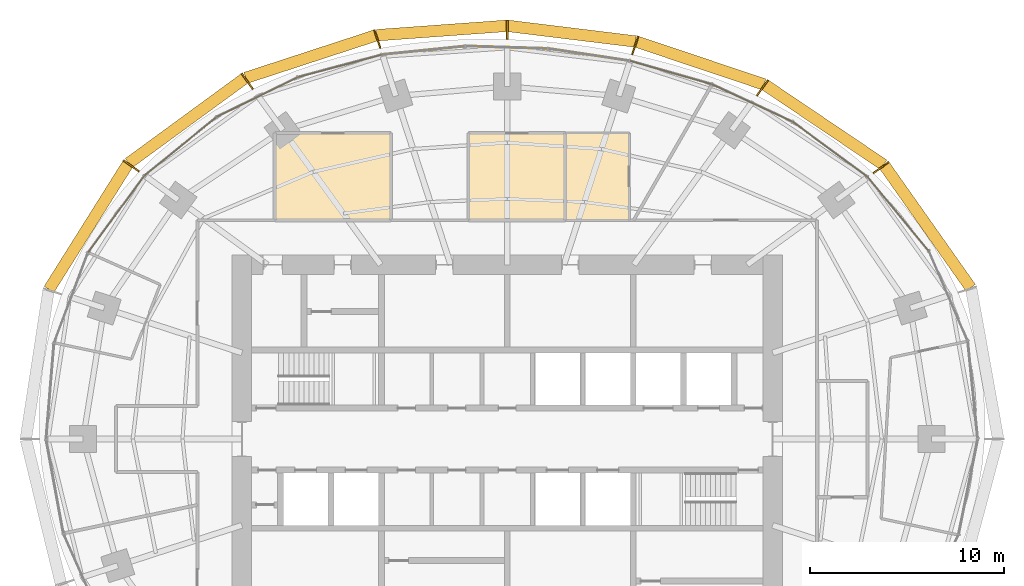
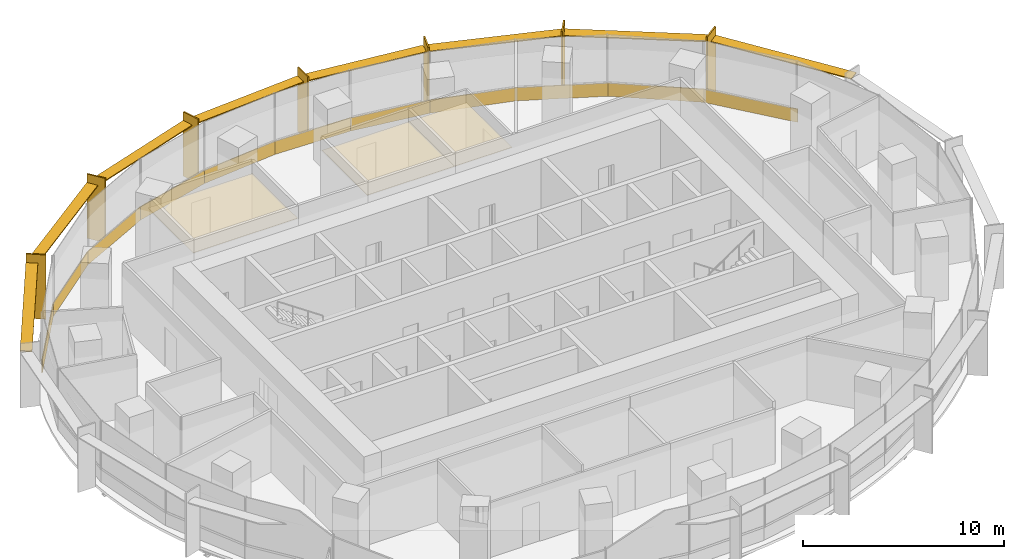
# One storey, part 14 of 14: 15 shading devices, 14 coverings.
"""IFC4 building model written with IfcOpenShell, lengths in metres."""

from ifc_helpers import new_model, si_unit, direction, frame, origin, origin_2d, place, context, subcontext, project, spatial, polyline, rectangle, outline, extrude, material, layer, layer_set, type_object, element, save


model = new_model("IFC4")

# Units and contexts
model_context = context("Model", 3, precision=1e-05, world=origin(), true_north=direction((0.0, 1.0)))
body_context = subcontext(model_context, "Body", "Model", "MODEL_VIEW")
ifc_project = project(units=[si_unit("LENGTHUNIT", "METRE"), si_unit("AREAUNIT", "SQUARE_METRE"), si_unit("VOLUMEUNIT", "CUBIC_METRE"), si_unit("PLANEANGLEUNIT", "RADIAN"), si_unit("MASSUNIT", "GRAM", prefix="KILO")], contexts=[model_context])

# Site, building, storey
site_placement = place(None, origin())
site = spatial("IfcSite", under=ifc_project, at=site_placement, CompositionType="ELEMENT")
building_placement = place(site_placement, origin())
building = spatial("IfcBuilding", under=site, at=building_placement, Name="Marramba Exchange Tower", CompositionType="ELEMENT")
storey_placement = place(building_placement, frame((0.0, 0.0, 199.39990234375)))
storey = spatial("IfcBuildingStorey", under=building, at=storey_placement, Name="L48", CompositionType="ELEMENT", Elevation=199.39990234375)

# Shading devices
ifc_material_1 = material(Name="Aluminium blade, timber-look bronze finish", Category="wood")
ifc_layer_1 = layer(ifc_material_1, 0.080078125)
ifc_layer_set_1 = layer_set([ifc_layer_1], Name="Floor-edge blade 1000x80")
shading_device_type_1 = type_object("IfcShadingDeviceType", Name="Floor-edge blade 1000x80", PredefinedType="USERDEFINED", material=ifc_layer_set_1)
for number, where, z_axis, x_axis, name in (
    (1, (19.298828125, 14.021484375, -0.159912109375), (0.0, 0.0, 1.0), (0.809016994375, 0.587785252292, 0.0), "Floor-edge blade FB1 L48 TC03"),
    (2, (13.176513671875, 18.135986328125, -0.159912109375), (0.0, 0.0, 1.0), (0.587785252292, 0.809016994375, 0.0), "Floor-edge blade FB1 L48 TC04"),
    (3, (6.605712890625, 20.330078125, -0.159912109375), (0.0, 0.0, 1.0), (0.309016994375, 0.951056516295, 0.0), "Floor-edge blade FB1 L48 TC05"),
    (4, (0.0, 21.13623046875, -0.159912109375), (0.0, 0.0, 1.0), (0.0, 1.0, 0.0), "Floor-edge blade FB1 L48 TC06"),
    (5, (-6.7119140625, 20.657470703125, -0.159912109375), (0.0, 0.0, 1.0), (-0.309016994375, 0.951056516295, 0.0), "Floor-edge blade FB1 L48 TC07"),
    (6, (-13.422607421875, 18.474609375, -0.159912109375), (0.0, 0.0, 1.0), (-0.587785252292, 0.809016994375, 0.0), "Floor-edge blade FB1 L48 TC08"),
    (7, (-19.4140625, 14.105224609375, -0.159912109375), (0.0, 0.0, 1.0), (-0.809016994375, 0.587785252292, 0.0), "Floor-edge blade FB1 L48 TC09"),
):
    element("IfcShadingDevice", number, at=place(storey_placement, frame(where, z_axis=z_axis, x_axis=x_axis)), inside=storey, type_object=shading_device_type_1, Name=name, ObjectType="FIN", PredefinedType="USERDEFINED", context=body_context, shape_type="SweptSolid", body=[
        extrude(rectangle(XDim=1.0, YDim=0.080078125, at=origin_2d()), origin(), (0.0, 0.0, 1.0), 3.89990234375),
    ])
ifc_material_2 = material(Name="Aluminium sunshade, bronze anodised", Category="aluminium")
ifc_layer_2 = layer(ifc_material_2, 0.06005859375)
ifc_layer_set_2 = layer_set([ifc_layer_2], Name="SUNSHADE blade 600x60")
shading_device_type_2 = type_object("IfcShadingDeviceType", Name="SUNSHADE blade 600x60", PredefinedType="USERDEFINED", material=ifc_layer_set_2)
shading_device_1_placement = place(storey_placement, frame((21.703857421875, 10.9599609375, 3.16015625), z_axis=(0.0, 0.0, 1.0), x_axis=(-0.576555118613, 0.81705825692, 0.0)))
element("IfcShadingDevice", 8, at=shading_device_1_placement, inside=storey, type_object=shading_device_type_2, Name="Sunshade SS1 L48 bay 02", ObjectType="SUNSHADE", PredefinedType="USERDEFINED", context=body_context, shape_type="SweptSolid", body=[
    extrude(rectangle(XDim=7.70166015625, YDim=0.60009765625, at=origin_2d()), origin(), (0.0, 0.0, 1.0), 0.06005859375),
])
shading_device_2_placement = place(storey_placement, frame((16.37744140625, 16.218505859375, 3.16015625), z_axis=(0.0, 0.0, 1.0), x_axis=(-0.829071447151, 0.559142679035, 0.0)))
element("IfcShadingDevice", 9, at=shading_device_2_placement, inside=storey, type_object=shading_device_type_2, Name="Sunshade SS1 L48 bay 03", ObjectType="SUNSHADE", PredefinedType="USERDEFINED", context=body_context, shape_type="SweptSolid", body=[
    extrude(rectangle(XDim=7.35791015625, YDim=0.60009765625, at=origin_2d()), origin(), (0.0, 0.0, 1.0), 0.06005859375),
])
shading_device_3_placement = place(storey_placement, frame((9.980712890625, 19.4091796875, 3.16015625), z_axis=(0.0, 0.0, 1.0), x_axis=(-0.948096437223, 0.317982933073, 0.0)))
element("IfcShadingDevice", 10, at=shading_device_3_placement, inside=storey, type_object=shading_device_type_2, Name="Sunshade SS1 L48 bay 04", ObjectType="SUNSHADE", PredefinedType="USERDEFINED", context=body_context, shape_type="SweptSolid", body=[
    extrude(rectangle(XDim=6.909423828125, YDim=0.60009765625, at=origin_2d()), origin(), (0.0, 0.0, 1.0), 0.06005859375),
])
shading_device_4_placement = place(storey_placement, frame((3.333740234375, 20.92822265625, 3.16015625), z_axis=(0.0, 0.0, 1.0), x_axis=(-0.992595256045, 0.121468751853, 0.0)))
element("IfcShadingDevice", 11, at=shading_device_4_placement, inside=storey, type_object=shading_device_type_2, Name="Sunshade SS1 L48 bay 05", ObjectType="SUNSHADE", PredefinedType="USERDEFINED", context=body_context, shape_type="SweptSolid", body=[
    extrude(rectangle(XDim=6.63720703125, YDim=0.60009765625, at=origin_2d()), origin(), (0.0, 0.0, 1.0), 0.06005859375),
])
shading_device_5_placement = place(storey_placement, frame((-3.386962890625, 21.092041015625, 3.16015625), z_axis=(0.0, 0.0, 1.0), x_axis=(-0.997407641713, -0.071958295234, 0.0)))
element("IfcShadingDevice", 12, at=shading_device_5_placement, inside=storey, type_object=shading_device_type_2, Name="Sunshade SS1 L48 bay 06", ObjectType="SUNSHADE", PredefinedType="USERDEFINED", context=body_context, shape_type="SweptSolid", body=[
    extrude(rectangle(XDim=6.71142578125, YDim=0.60009765625, at=origin_2d()), origin(), (0.0, 0.0, 1.0), 0.06005859375),
])
shading_device_6_placement = place(storey_placement, frame((-10.156982421875, 19.741943359375, 3.16015625), z_axis=(0.0, 0.0, 1.0), x_axis=(-0.950537602937, -0.310609506297, 0.0)))
element("IfcShadingDevice", 13, at=shading_device_6_placement, inside=storey, type_object=shading_device_type_2, Name="Sunshade SS1 L48 bay 07", ObjectType="SUNSHADE", PredefinedType="USERDEFINED", context=body_context, shape_type="SweptSolid", body=[
    extrude(rectangle(XDim=7.03857421875, YDim=0.60009765625, at=origin_2d()), origin(), (0.0, 0.0, 1.0), 0.06005859375),
])
shading_device_7_placement = place(storey_placement, frame((-16.55810546875, 16.4296875, 3.16015625), z_axis=(0.0, 0.0, 1.0), x_axis=(-0.80719390073, -0.59028637679, 0.0)))
element("IfcShadingDevice", 14, at=shading_device_7_placement, inside=storey, type_object=shading_device_type_2, Name="Sunshade SS1 L48 bay 08", ObjectType="SUNSHADE", PredefinedType="USERDEFINED", context=body_context, shape_type="SweptSolid", body=[
    extrude(rectangle(XDim=7.3974609375, YDim=0.60009765625, at=origin_2d()), origin(), (0.0, 0.0, 1.0), 0.06005859375),
])
shading_device_8_placement = place(storey_placement, frame((-21.62744140625, 10.958251953125, 3.16015625), z_axis=(0.0, 0.0, 1.0), x_axis=(-0.532082259983, -0.846692664792, 0.0)))
element("IfcShadingDevice", 15, at=shading_device_8_placement, inside=storey, type_object=shading_device_type_2, Name="Sunshade SS1 L48 bay 09", ObjectType="SUNSHADE", PredefinedType="USERDEFINED", context=body_context, shape_type="SweptSolid", body=[
    extrude(rectangle(XDim=7.631103515625, YDim=0.60009765625, at=origin_2d()), origin(), (0.0, 0.0, 1.0), 0.06005859375),
])

# Coverings
ifc_material_3 = material(Name="Aluminium spandrel panel, bronze anodised, insulated", Category="aluminium")
ifc_layer_3 = layer(ifc_material_3, 0.050048828125)
ifc_layer_set_3 = layer_set([ifc_layer_3], Name="Spandrel panel 800")
covering_type_1 = type_object("IfcCoveringType", Name="Spandrel panel 800", PredefinedType="CLADDING", material=ifc_layer_set_3)
covering_1_placement = place(storey_placement, frame((20.193603515625, 11.608642578125, 0.0), z_axis=(0.0, 0.0, 1.0), x_axis=(-0.637350224586, 0.770574260678, 0.0)))
element("IfcCovering", 16, at=covering_1_placement, inside=storey, type_object=covering_type_1, Name="Spandrel panel SP1 L48 F03", PredefinedType="CLADDING", context=body_context, shape_type="SweptSolid", body=[
    extrude(rectangle(XDim=4.9658203125, YDim=0.050048828125, at=origin_2d()), origin(), (0.0, 0.0, 1.0), 0.800048828125),
])
covering_2_placement = place(storey_placement, frame((16.677001953125, 14.94775390625, 0.0), z_axis=(0.0, 0.0, 1.0), x_axis=(-0.804877256733, 0.593441321104, 0.0)))
element("IfcCovering", 17, at=covering_2_placement, inside=storey, type_object=covering_type_1, Name="Spandrel panel SP1 L48 F04", PredefinedType="CLADDING", context=body_context, shape_type="SweptSolid", body=[
    extrude(rectangle(XDim=4.805908203125, YDim=0.050048828125, at=origin_2d()), origin(), (0.0, 0.0, 1.0), 0.800048828125),
])
covering_3_placement = place(storey_placement, frame((12.65869140625, 17.344482421875, 0.0), z_axis=(0.0, 0.0, 1.0), x_axis=(-0.906533903661, 0.422133014005, 0.0)))
element("IfcCovering", 18, at=covering_3_placement, inside=storey, type_object=covering_type_1, Name="Spandrel panel SP1 L48 F05", PredefinedType="CLADDING", context=body_context, shape_type="SweptSolid", body=[
    extrude(rectangle(XDim=4.5986328125, YDim=0.050048828125, at=origin_2d()), origin(), (0.0, 0.0, 1.0), 0.800048828125),
])
covering_4_placement = place(storey_placement, frame((8.45849609375, 18.91845703125, 0.0), z_axis=(0.0, 0.0, 1.0), x_axis=(-0.961658952783, 0.274248169607, 0.0)))
element("IfcCovering", 19, at=covering_4_placement, inside=storey, type_object=covering_type_1, Name="Spandrel panel SP1 L48 F06", PredefinedType="CLADDING", context=body_context, shape_type="SweptSolid", body=[
    extrude(rectangle(XDim=4.39990234375, YDim=0.050048828125, at=origin_2d()), origin(), (0.0, 0.0, 1.0), 0.800048828125),
])
covering_5_placement = place(storey_placement, frame((4.230712890625, 19.839599609375, 0.0), z_axis=(0.0, 0.0, 1.0), x_axis=(-0.988868065308, 0.148794991224, 0.0)))
element("IfcCovering", 20, at=covering_5_placement, inside=storey, type_object=covering_type_1, Name="Spandrel panel SP1 L48 F07", PredefinedType="CLADDING", context=body_context, shape_type="SweptSolid", body=[
    extrude(rectangle(XDim=4.27197265625, YDim=0.050048828125, at=origin_2d()), origin(), (0.0, 0.0, 1.0), 0.800048828125),
])
covering_6_placement = place(storey_placement, frame((-0.0068359375, 20.221923828125, 0.0), z_axis=(0.0, 0.0, 1.0), x_axis=(-0.999537999985, 0.030393857689, 0.0)))
element("IfcCovering", 21, at=covering_6_placement, inside=storey, type_object=covering_type_1, Name="Spandrel panel SP1 L48 F08", PredefinedType="CLADDING", context=body_context, shape_type="SweptSolid", body=[
    extrude(rectangle(XDim=4.252685546875, YDim=0.050048828125, at=origin_2d()), origin(), (0.0, 0.0, 1.0), 0.800048828125),
])
covering_7_placement = place(storey_placement, frame((-4.290771484375, 20.06787109375, 0.0), z_axis=(0.0, 0.0, 1.0), x_axis=(-0.994900357732, -0.10086266993, 0.0)))
element("IfcCovering", 22, at=covering_7_placement, inside=storey, type_object=covering_type_1, Name="Spandrel panel SP1 L48 F09", PredefinedType="CLADDING", context=body_context, shape_type="SweptSolid", body=[
    extrude(rectangle(XDim=4.33935546875, YDim=0.050048828125, at=origin_2d()), origin(), (0.0, 0.0, 1.0), 0.800048828125),
])
covering_8_placement = place(storey_placement, frame((-8.620361328125, 19.27001953125, 0.0), z_axis=(0.0, 0.0, 1.0), x_axis=(-0.966240651433, -0.257641230237, 0.0)))
element("IfcCovering", 23, at=covering_8_placement, inside=storey, type_object=covering_type_1, Name="Spandrel panel SP1 L48 F10", PredefinedType="CLADDING", context=body_context, shape_type="SweptSolid", body=[
    extrude(rectangle(XDim=4.49365234375, YDim=0.050048828125, at=origin_2d()), origin(), (0.0, 0.0, 1.0), 0.800048828125),
])
covering_9_placement = place(storey_placement, frame((-12.88818359375, 17.666748046875, 0.0), z_axis=(0.0, 0.0, 1.0), x_axis=(-0.898500520314, -0.438972453572, 0.0)))
element("IfcCovering", 24, at=covering_9_placement, inside=storey, type_object=covering_type_1, Name="Spandrel panel SP1 L48 F11", PredefinedType="CLADDING", context=body_context, shape_type="SweptSolid", body=[
    extrude(rectangle(XDim=4.667236328125, YDim=0.050048828125, at=origin_2d()), origin(), (0.0, 0.0, 1.0), 0.800048828125),
])
covering_10_placement = place(storey_placement, frame((-16.855712890625, 15.1240234375, 0.0), z_axis=(0.0, 0.0, 1.0), x_axis=(-0.776432169123, -0.630200830491, 0.0)))
element("IfcCovering", 25, at=covering_10_placement, inside=storey, type_object=covering_type_1, Name="Spandrel panel SP1 L48 F12", PredefinedType="CLADDING", context=body_context, shape_type="SweptSolid", body=[
    extrude(rectangle(XDim=4.81884765625, YDim=0.050048828125, at=origin_2d()), origin(), (0.0, 0.0, 1.0), 0.800048828125),
])
covering_11_placement = place(storey_placement, frame((-20.184326171875, 11.62060546875, 0.0), z_axis=(0.0, 0.0, 1.0), x_axis=(-0.591962919465, -0.805965198987, 0.0)))
element("IfcCovering", 26, at=covering_11_placement, inside=storey, type_object=covering_type_1, Name="Spandrel panel SP1 L48 F13", PredefinedType="CLADDING", context=body_context, shape_type="SweptSolid", body=[
    extrude(rectangle(XDim=4.925537109375, YDim=0.050048828125, at=origin_2d()), origin(), (0.0, 0.0, 1.0), 0.800048828125),
])
ifc_material_4 = material(Name="Mineral fibre ceiling tiles", Category="gypsum")
ifc_layer_4 = layer(ifc_material_4, 0.02001953125)
ifc_layer_set_4 = layer_set([ifc_layer_4], Name="Suspended ceiling 20")
covering_type_2 = type_object("IfcCoveringType", Name="Suspended ceiling 20", PredefinedType="CEILING", material=ifc_layer_set_4)
covering_12_placement = place(storey_placement, frame((0.0, 0.0, 2.900146484375)))
element("IfcCovering", 27, at=covering_12_placement, inside=storey, type_object=covering_type_2, Name="Ceiling CL1 L48 Meeting Room 2", PredefinedType="CEILING", context=body_context, shape_type="SweptSolid", body=[
    extrude(outline(polyline([(3.0, 11.300048828125), (-2.0, 11.300048828125), (-2.0, 15.800048828125), (3.0, 15.800048828125), (3.0, 11.300048828125)])), origin(), (0.0, 0.0, 1.0), 0.02001953125),
])
covering_13_placement = place(storey_placement, frame((0.0, 0.0, 2.900146484375)))
element("IfcCovering", 28, at=covering_13_placement, inside=storey, type_object=covering_type_2, Name="Ceiling CL1 L48 Pantry 1", PredefinedType="CEILING", context=body_context, shape_type="SweptSolid", body=[
    extrude(outline(polyline([(6.300048828125, 11.300048828125), (3.0, 11.300048828125), (3.0, 15.800048828125), (6.300048828125, 15.800048828125), (6.300048828125, 11.300048828125)])), origin(), (0.0, 0.0, 1.0), 0.02001953125),
])
covering_14_placement = place(storey_placement, frame((0.0, 0.0, 2.900146484375)))
element("IfcCovering", 29, at=covering_14_placement, inside=storey, type_object=covering_type_2, Name="Ceiling CL1 L48 Meeting Room 3", PredefinedType="CEILING", context=body_context, shape_type="SweptSolid", body=[
    extrude(outline(polyline([(-6.0, 11.300048828125), (-12.0, 11.300048828125), (-12.0, 15.800048828125), (-6.0, 15.800048828125), (-6.0, 11.300048828125)])), origin(), (0.0, 0.0, 1.0), 0.02001953125),
])

save(model, "model.ifc")
